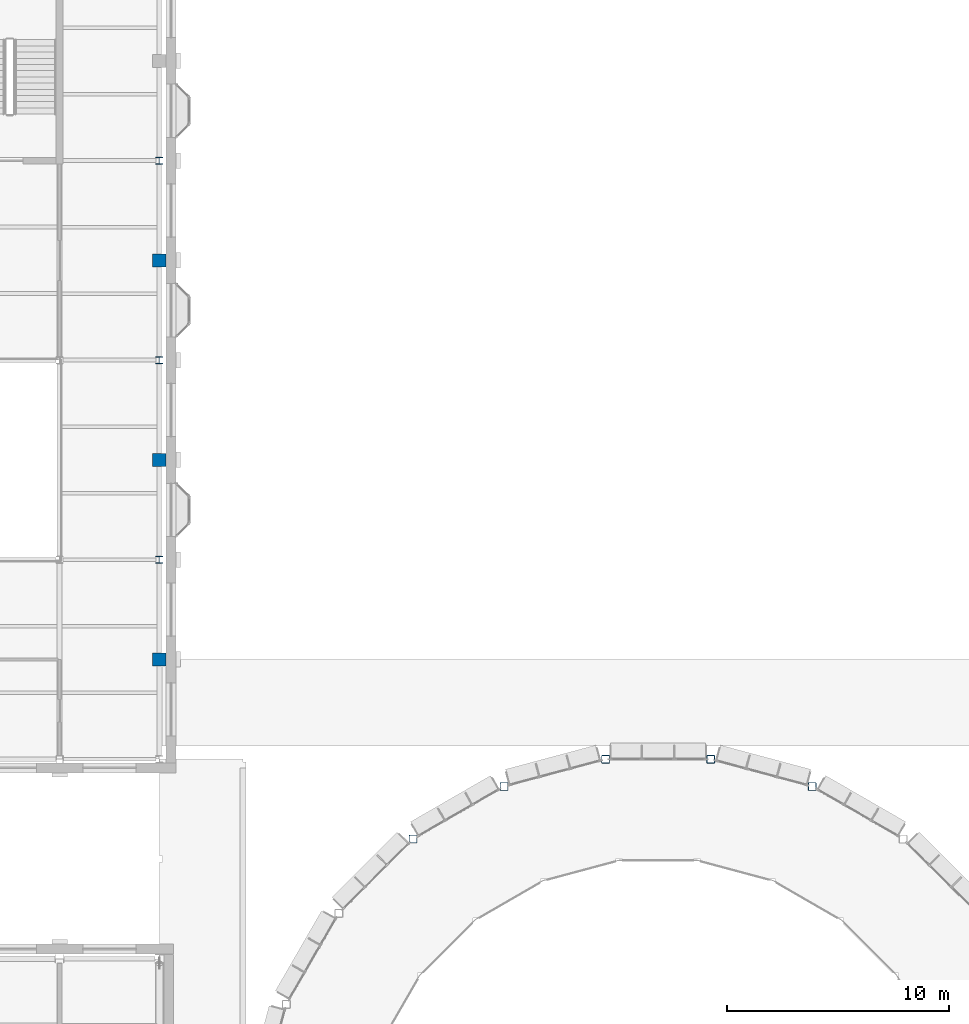
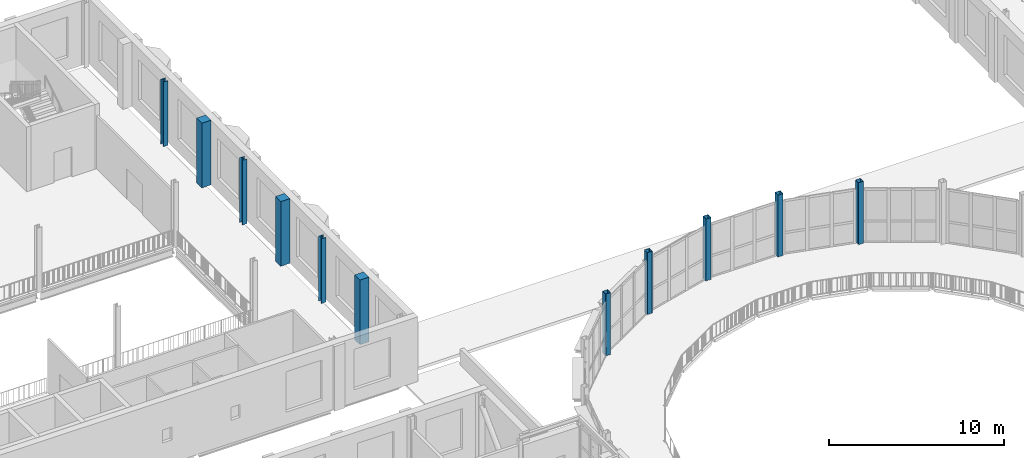
# One storey, part 5 of 74: 11 columns.
"""IFC4 building model written with IfcOpenShell, lengths in metres."""

import ifcopenshell
import ifcopenshell.guid

model = None  # the IFC model being written
_history = None  # IfcOwnerHistory: only IFC2X3 demands one
_inside = {}  # id of a spatial element -> (the spatial element, [elements in it])
_under = {}  # id of a project, library or spatial element -> (it, [spatial elements below it])
_declared = {}  # id of a project -> (the project, [libraries it declares])
_typed = {}  # id of a type object -> (the type object, [elements of that type])
_made_of = {}  # id of a material, layer set ... -> (it, [elements and type objects made of it])


def new_model(schema):
    """Start an empty IFC model of exactly this schema.

    Asked for "IFC4X3", IfcOpenShell would pick the latest addendum, in which some entities
    have other attributes; the version numbers below select the first issue.
    IFC2X3 requires an IfcOwnerHistory on every rooted entity: one is made here for all.
    """
    global model, _history
    if schema == "IFC4X3":
        model = ifcopenshell.file(schema_version=(4, 3, 0, 0))
    else:
        model = ifcopenshell.file(schema=schema)
    _inside.clear()
    _under.clear()
    _declared.clear()
    _typed.clear()
    _made_of.clear()
    _history = None
    if model.schema == "IFC2X3":
        org = make("IfcOrganization", Name="unknown")
        user = make(
            "IfcPersonAndOrganization",
            ThePerson=make("IfcPerson", FamilyName="unknown"),
            TheOrganization=org,
        )
        app = make(
            "IfcApplication",
            ApplicationDeveloper=org,
            Version="unknown",
            ApplicationFullName="unknown",
            ApplicationIdentifier="unknown",
        )
        _history = make(
            "IfcOwnerHistory",
            OwningUser=user,
            OwningApplication=app,
            ChangeAction="ADDED",
            CreationDate=0,
        )
    return model


def make(cls, **values):
    """One entity of the class cls with the attributes given. An attribute that is None is left unset."""
    return model.create_entity(
        cls, **{name: value for name, value in values.items() if value is not None}
    )


def rooted(cls, **values):
    """An entity with a GlobalId (a new one), such as an element, a storey or a relation."""
    return make(cls, GlobalId=ifcopenshell.guid.new(), OwnerHistory=_history, **values)


def si_unit(unit_type, name, prefix=None):
    """IfcSIUnit, for example si_unit("LENGTHUNIT", "METRE", prefix="MILLI")."""
    return make("IfcSIUnit", UnitType=unit_type, Prefix=prefix, Name=name)


def assignment(units):
    """IfcUnitAssignment: the units of a project."""
    return None if units is None else make("IfcUnitAssignment", Units=units)


def point(xyz):
    """IfcCartesianPoint."""
    return None if xyz is None else make("IfcCartesianPoint", Coordinates=xyz)


def direction(xyz):
    """IfcDirection."""
    return None if xyz is None else make("IfcDirection", DirectionRatios=xyz)


def frame(location, z_axis=None, x_axis=None):
    """IfcAxis2Placement3D, a coordinate frame: its origin and axes. An axis left out is left unset."""
    return make(
        "IfcAxis2Placement3D",
        Location=point(location),
        Axis=direction(z_axis),
        RefDirection=direction(x_axis),
    )


def frame_2d(location, x_axis=None):
    """IfcAxis2Placement2D, a coordinate frame in the plane: its origin and x axis."""
    return make(
        "IfcAxis2Placement2D", Location=point(location), RefDirection=direction(x_axis)
    )


def origin():
    """The frame at (0, 0, 0) with its axes left unset."""
    return frame((0.0, 0.0, 0.0))


def origin_2d():
    """The frame at (0, 0) in the plane with its x axis left unset."""
    return frame_2d((0.0, 0.0))


def place(relative_to, where):
    """IfcLocalPlacement: puts the frame where relative to a parent placement (None: the world)."""
    return make(
        "IfcLocalPlacement", PlacementRelTo=relative_to, RelativePlacement=where
    )


def context(
    kind, dimensions, precision=None, world=None, true_north=None, identifier=None
):
    """IfcGeometricRepresentationContext, for example the 3D "Model" context."""
    return make(
        "IfcGeometricRepresentationContext",
        ContextIdentifier=identifier,
        ContextType=kind,
        CoordinateSpaceDimension=dimensions,
        Precision=precision,
        WorldCoordinateSystem=world,
        TrueNorth=true_north,
    )


def subcontext(parent, identifier, kind, view, scale=None):
    """IfcGeometricRepresentationSubContext, for example "Body" below "Model"."""
    return make(
        "IfcGeometricRepresentationSubContext",
        ContextIdentifier=identifier,
        ContextType=kind,
        ParentContext=parent,
        TargetScale=scale,
        TargetView=view,
    )


def project(units=None, contexts=None):
    """IfcProject with its units and contexts."""
    return rooted(
        "IfcProject",
        Name="project",
        RepresentationContexts=contexts,
        UnitsInContext=assignment(units),
    )


def spatial(cls, under=None, at=None, **own):
    """A site, building, storey or space (cls), placed at a placement, below another one or the project."""
    s = rooted(cls, ObjectPlacement=at, **own)
    if under is not None:
        _under.setdefault(under.id(), (under, []))[1].append(s)
    return s


def profile(cls, at=None, kind="AREA", **sizes):
    """A parametric profile (cls). Its sizes go by their IFC names, for example OverallWidth=200.0."""
    return make(cls, ProfileType=kind, Position=at, **sizes)


def rectangle(**sizes):
    """IfcRectangleProfileDef."""
    return profile("IfcRectangleProfileDef", **sizes)


def hollow_rectangle(**sizes):
    """IfcRectangleHollowProfileDef."""
    return profile("IfcRectangleHollowProfileDef", **sizes)


def i_section(**sizes):
    """IfcIShapeProfileDef."""
    return profile("IfcIShapeProfileDef", **sizes)


def extrude(swept, where, along, depth):
    """IfcExtrudedAreaSolid: the profile swept, set in the frame where, extruded along a direction by depth."""
    return make(
        "IfcExtrudedAreaSolid",
        SweptArea=swept,
        Position=where,
        ExtrudedDirection=direction(along),
        Depth=depth,
    )


def shape(context_of_items, identifier, shape_type, items):
    """IfcShapeRepresentation: the items that make up one representation, for example the "Body"."""
    return make(
        "IfcShapeRepresentation",
        ContextOfItems=context_of_items,
        RepresentationIdentifier=identifier,
        RepresentationType=shape_type,
        Items=items,
    )


def material(Name=None, Category=None):
    """IfcMaterial."""
    return make("IfcMaterial", Name=Name, Category=Category)


def material_profile(
    of_material, cross_section, Name=None, Category=None, Priority=None
):
    """IfcMaterialProfile: a cross section and its material."""
    return make(
        "IfcMaterialProfile",
        Name=Name,
        Material=of_material,
        Profile=cross_section,
        Priority=Priority,
        Category=Category,
    )


def profile_set(profiles, Name=None, composite=None):
    """IfcMaterialProfileSet."""
    return make(
        "IfcMaterialProfileSet",
        Name=Name,
        MaterialProfiles=profiles,
        CompositeProfile=composite,
    )


def made_of(thing, what):
    """Note that an element or type object is made of a material, layer set ...; save() writes the relation."""
    if what is not None:
        _made_of.setdefault(what.id(), (what, []))[1].append(thing)
    return thing


def type_object(cls, material=None, **own):
    """A type object (cls), such as IfcWallType, which elements share."""
    return made_of(rooted(cls, **own), material)


def element(
    cls,
    number,
    at=None,
    inside=None,
    cuts=None,
    type_object=None,
    material=None,
    context=None,
    identifier="Body",
    shape_type=None,
    held_by="IfcProductDefinitionShape",
    body=None,
    shapes=None,
    **own,
):
    """One element of the class cls, such as IfcWall. Its Tag is "e" and its number.

    at: its placement. inside: the storey or other place that contains it. cuts: it is an
    opening in that element (IfcRelVoidsElement). A single representation is given by context,
    identifier, shape_type and body (its items); several are given by shapes. held_by: the class
    of the entity that holds the representations. save() writes the other relations.
    """
    e = rooted(cls, Tag="e%d" % number, ObjectPlacement=at, **own)
    if body is not None:
        shapes = [shape(context, identifier, shape_type, body)]
    if shapes is not None:
        e.Representation = make(held_by, Representations=shapes)
    if inside is not None:
        _inside.setdefault(inside.id(), (inside, []))[1].append(e)
    if cuts is not None:
        rooted(
            "IfcRelVoidsElement", RelatingBuildingElement=cuts, RelatedOpeningElement=e
        )
    if type_object is not None:
        _typed.setdefault(type_object.id(), (type_object, []))[1].append(e)
    return made_of(e, material)


def aggregate(whole, parts):
    """IfcRelAggregates: a whole, such as a stair, and the parts it consists of."""
    return rooted("IfcRelAggregates", RelatingObject=whole, RelatedObjects=parts)


def save(model, path):
    """Write the relations noted so far, then the file.

    IfcRelAggregates (storeys below a building ...), IfcRelContainedInSpatialStructure (elements
    in a storey), IfcRelDefinesByType, IfcRelAssociatesMaterial and IfcRelDeclares: one each for
    every whole, place, type object, material and project.
    """
    for whole, parts in _under.values():
        aggregate(whole, parts)
    for where, things in _inside.values():
        rooted(
            "IfcRelContainedInSpatialStructure",
            RelatedElements=things,
            RelatingStructure=where,
        )
    for kind, things in _typed.values():
        rooted("IfcRelDefinesByType", RelatedObjects=things, RelatingType=kind)
    for what, things in _made_of.values():
        rooted("IfcRelAssociatesMaterial", RelatedObjects=things, RelatingMaterial=what)
    for by, libraries in _declared.values():
        rooted("IfcRelDeclares", RelatingContext=by, RelatedDefinitions=libraries)
    model.write(path)


model = new_model("IFC4")

# Units and contexts
model_context = context("Model", 3, precision=1e-05, world=origin(), true_north=direction((0.0, 1.0)))
body_context = subcontext(model_context, "Body", "Model", "MODEL_VIEW")
ifc_project = project(units=[si_unit("LENGTHUNIT", "METRE"), si_unit("AREAUNIT", "SQUARE_METRE"), si_unit("VOLUMEUNIT", "CUBIC_METRE"), si_unit("PLANEANGLEUNIT", "RADIAN"), si_unit("MASSUNIT", "GRAM", prefix="KILO")], contexts=[model_context])

# Site, building, storey
site_placement = place(None, origin())
site = spatial("IfcSite", under=ifc_project, at=site_placement, CompositionType="ELEMENT")
building_placement = place(site_placement, origin())
building = spatial("IfcBuilding", under=site, at=building_placement, Name="Hortulan Conservatory and Botanical Research Centre", CompositionType="ELEMENT")
storey_placement = place(building_placement, frame((0.0, 0.0, 6.0)))
storey = spatial("IfcBuildingStorey", under=building, at=storey_placement, Name="L01", CompositionType="ELEMENT", Elevation=6.0)

# Columns
ifc_material_1 = material(Name="Steel Grade C450L0 (450 MPa, AS/NZS 1163)", Category="steel")
ifc_material_profile_1 = material_profile(ifc_material_1, hollow_rectangle(XDim=0.35009765625, YDim=0.35009765625, WallThickness=0.012451171875, InnerFilletRadius=0.018798828125, OuterFilletRadius=0.03125, at=origin_2d()), Name="350x350x12.5SHS")
ifc_profile_set_1 = profile_set([ifc_material_profile_1], Name="Steel Grade C450L0 (450 MPa, AS/NZS 1163)")
column_type_1 = type_object("IfcColumnType", Name="Dome Drum Column 350x350x12.5 SHS", PredefinedType="COLUMN", material=ifc_profile_set_1)
for number, where, z_axis, x_axis, name in (
    (1, (60.94775390625, 34.773193359375, 0.0), (0.0, 0.0, 1.0), (1.0, 0.0, 0.0), "Dome drum column 05 L01"),
    (2, (56.36962890625, 36.0, 0.0), (0.0, 0.0, 1.0), (1.0, 0.0, 0.0), "Dome drum column 06 L01"),
    (3, (51.63037109375, 36.0, 0.0), (0.0, 0.0, 1.0), (1.0, 0.0, 0.0), "Dome drum column 07 L01"),
    (4, (47.05224609375, 34.773193359375, 0.0), (0.0, 0.0, 1.0), (1.0, 0.0, 0.0), "Dome drum column 08 L01"),
    (5, (42.94775390625, 32.403564453125, 0.0), (0.0, 0.0, 1.0), (1.0, 0.0, 0.0), "Dome drum column 09 L01"),
):
    element("IfcColumn", number, at=place(storey_placement, frame(where, z_axis=z_axis, x_axis=x_axis)), inside=storey, type_object=column_type_1, Name=name, PredefinedType="COLUMN", context=body_context, shape_type="SweptSolid", body=[
        extrude(hollow_rectangle(XDim=0.35009765625, YDim=0.35009765625, WallThickness=0.012451171875, InnerFilletRadius=0.018798828125, OuterFilletRadius=0.03125, at=origin_2d()), origin(), (0.0, 0.0, 1.0), 4.300048828125),
    ])
ifc_material_2 = material(Name="Sandstone masonry (25 MPa, AS 3700)", Category="masonry")
ifc_material_profile_2 = material_profile(ifc_material_2, rectangle(XDim=0.60009765625, YDim=0.60009765625, at=origin_2d()), Name="Square pier 600")
ifc_profile_set_2 = profile_set([ifc_material_profile_2], Name="Sandstone masonry (25 MPa, AS 3700)")
column_type_2 = type_object("IfcColumnType", Name="Sandstone Arcade Pier 600x600", PredefinedType="COLUMN", material=ifc_profile_set_2)
for number, where, z_axis, x_axis, name in (
    (6, (31.5, 40.5, 0.0), (0.0, 0.0, 1.0), (1.0, 0.0, 0.0), "Sandstone arcade pier P-31.5-40.5 L01"),
    (7, (31.5, 49.5, 0.0), (0.0, 0.0, 1.0), (1.0, 0.0, 0.0), "Sandstone arcade pier P-31.5-49.5 L01"),
    (8, (31.5, 58.5, 0.0), (0.0, 0.0, 1.0), (1.0, 0.0, 0.0), "Sandstone arcade pier P-31.5-58.5 L01"),
):
    element("IfcColumn", number, at=place(storey_placement, frame(where, z_axis=z_axis, x_axis=x_axis)), inside=storey, type_object=column_type_2, Name=name, PredefinedType="COLUMN", context=body_context, shape_type="SweptSolid", body=[
        extrude(rectangle(XDim=0.60009765625, YDim=0.60009765625, at=origin_2d()), origin(), (0.0, 0.0, 1.0), 4.5),
    ])
ifc_material_3 = material(Name="Steel Grade 300PLUS (AS/NZS 3679.1, 280 MPa minimum yield)", Category="steel")
ifc_material_profile_3 = material_profile(ifc_material_3, i_section(OverallWidth=0.30908203125, OverallDepth=0.321044921875, WebThickness=0.013916015625, FlangeThickness=0.021728515625, FilletRadius=0.0166015625, at=origin_2d()), Name="310UC137")
ifc_profile_set_3 = profile_set([ifc_material_profile_3], Name="Steel Grade 300PLUS (AS/NZS 3679.1, 280 MPa minimum yield)")
column_type_3 = type_object("IfcColumnType", Name="Visitor Centre Column 310UC137", PredefinedType="COLUMN", material=ifc_profile_set_3)
for number, where, z_axis, x_axis, name in (
    (9, (31.5, 45.0, 0.0), (0.0, 0.0, 1.0), (1.0, 0.0, 0.0), "310UC137 column"),
    (10, (31.5, 54.0, 0.0), (0.0, 0.0, 1.0), (1.0, 0.0, 0.0), "310UC137 column"),
    (11, (31.5, 63.0, 0.0), (0.0, 0.0, 1.0), (1.0, 0.0, 0.0), "310UC137 column"),
):
    element("IfcColumn", number, at=place(storey_placement, frame(where, z_axis=z_axis, x_axis=x_axis)), inside=storey, type_object=column_type_3, Name=name, PredefinedType="COLUMN", context=body_context, shape_type="SweptSolid", body=[
        extrude(i_section(OverallWidth=0.30908203125, OverallDepth=0.321044921875, WebThickness=0.013916015625, FlangeThickness=0.021728515625, FilletRadius=0.0166015625, at=origin_2d()), origin(), (0.0, 0.0, 1.0), 4.5),
    ])

save(model, "model.ifc")
